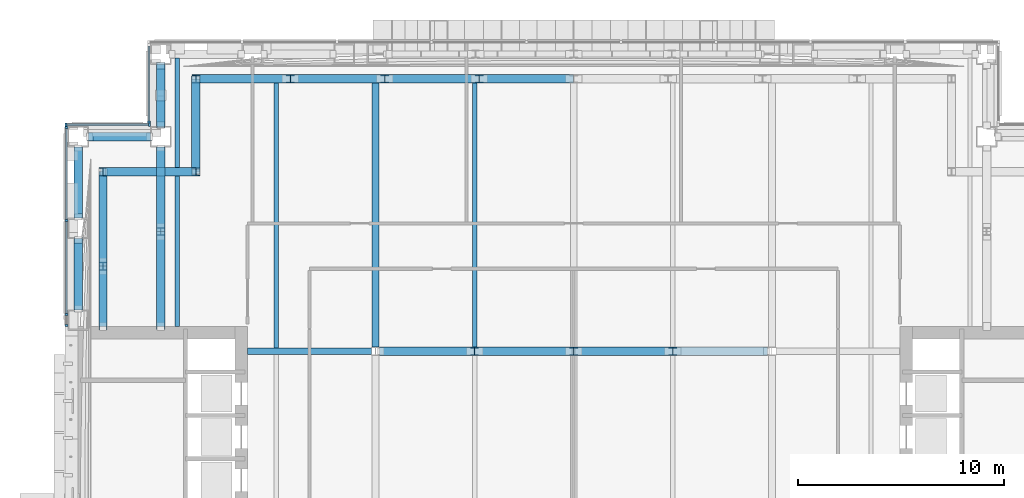
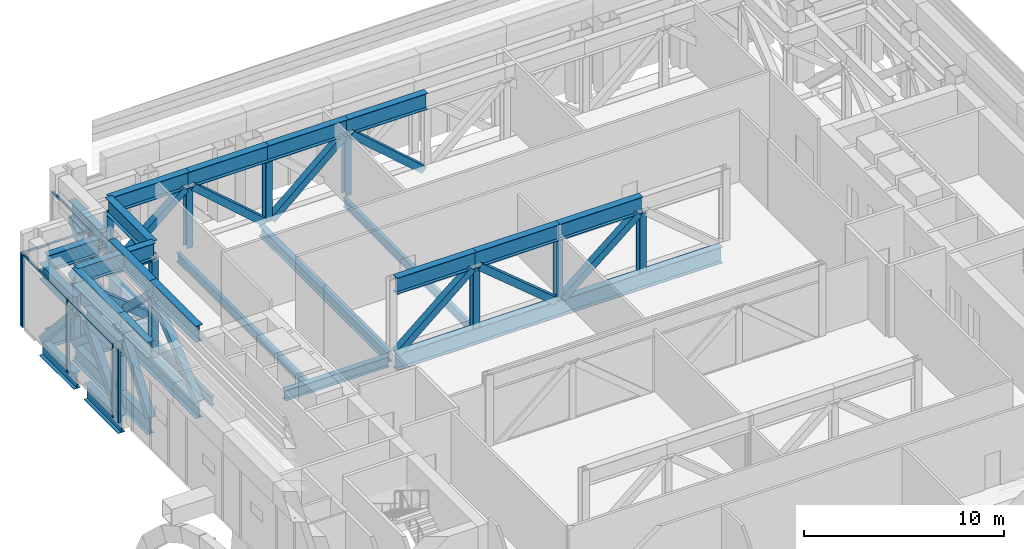
# One storey, part 7 of 39: 67 members, 6 beams, 3 elements without a shape of their own.
"""IFC4 building model written with IfcOpenShell, lengths in metres."""

from ifc_helpers import new_model, si_unit, direction, frame, origin, origin_2d, place, context, subcontext, project, spatial, rectangle, hollow_rectangle, i_section, extrude, material, material_profile, profile_set, type_object, element, aggregate, save


model = new_model("IFC4")

# Units and contexts
model_context = context("Model", 3, precision=1e-05, world=origin(), true_north=direction((0.0, 1.0)))
body_context = subcontext(model_context, "Body", "Model", "MODEL_VIEW")
ifc_project = project(units=[si_unit("LENGTHUNIT", "METRE"), si_unit("AREAUNIT", "SQUARE_METRE"), si_unit("VOLUMEUNIT", "CUBIC_METRE"), si_unit("PLANEANGLEUNIT", "RADIAN"), si_unit("MASSUNIT", "GRAM", prefix="KILO")], contexts=[model_context])

# Site, building, storey
site_placement = place(None, origin())
site = spatial("IfcSite", under=ifc_project, at=site_placement, CompositionType="ELEMENT")
building_placement = place(site_placement, origin())
building = spatial("IfcBuilding", under=site, at=building_placement, Name="Cobrizo Arcos Hotel Tower", CompositionType="ELEMENT")
storey_placement = place(building_placement, frame((0.0, 0.0, 84.5)))
storey = spatial("IfcBuildingStorey", under=building, at=storey_placement, Name="L20", CompositionType="ELEMENT", Elevation=84.5)

# Curtain wall, member
ifc_material_1 = material(Name="Aluminium 6063-T6 anodised bronze", Category="aluminium")
curtain_wall_type = type_object("IfcCurtainWallType", Name="CW-D plant louvre wall", PredefinedType="NOTDEFINED", material=ifc_material_1)
curtain_wall_1_placement = place(storey_placement, origin())
curtain_wall_1 = element("IfcCurtainWall", 1, at=curtain_wall_1_placement, inside=storey, type_object=curtain_wall_type, Name="CW-D L20 W face", PredefinedType="NOTDEFINED")
ifc_material_profile_1 = material_profile(ifc_material_1, rectangle(XDim=0.14990234375, YDim=0.10009765625, at=origin_2d()), Name="CW-D mullion 150x100")
ifc_profile_set_1 = profile_set([ifc_material_profile_1], Name="Aluminium 6063-T6 anodised bronze")
member_type_1 = type_object("IfcMemberType", Name="CW-D mullion 150x100", PredefinedType="MULLION", material=ifc_profile_set_1)
member_1_placement = place(storey_placement, frame((-20.574951171875, 20.699951171875, 0.0), z_axis=(0.0, 0.0, 1.0), x_axis=(-1.0, 0.0, 0.0)))
member_1 = element("IfcMember", 2, at=member_1_placement, type_object=member_type_1, Name="CW-D mullion 2", PredefinedType="MULLION", context=body_context, shape_type="SweptSolid", body=[
    extrude(rectangle(XDim=0.14990234375, YDim=0.10009765625, at=origin_2d()), origin(), (0.0, 0.0, 1.0), 4.5),
])

# Curtain wall, members
curtain_wall_2_placement = place(storey_placement, origin())
curtain_wall_2 = element("IfcCurtainWall", 3, at=curtain_wall_2_placement, inside=storey, type_object=curtain_wall_type, Name="CW-D L20 N face", PredefinedType="NOTDEFINED")
member_2_placement = place(storey_placement, frame((-20.550048828125, 20.574951171875, 0.0), z_axis=(0.0, 0.0, 1.0), x_axis=(0.0, 1.0, 0.0)))
member_2 = element("IfcMember", 4, at=member_2_placement, type_object=member_type_1, Name="CW-D mullion 1", PredefinedType="MULLION", context=body_context, shape_type="SweptSolid", body=[
    extrude(rectangle(XDim=0.14990234375, YDim=0.10009765625, at=origin_2d()), origin(), (0.0, 0.0, 1.0), 4.5),
])
member_3_placement = place(storey_placement, frame((-24.60009765625, 20.574951171875, 0.0), z_axis=(0.0, 0.0, 1.0), x_axis=(0.0, 1.0, 0.0)))
member_3 = element("IfcMember", 5, at=member_3_placement, type_object=member_type_1, Name="CW-D mullion 2", PredefinedType="MULLION", context=body_context, shape_type="SweptSolid", body=[
    extrude(rectangle(XDim=0.14990234375, YDim=0.10009765625, at=origin_2d()), origin(), (0.0, 0.0, 1.0), 4.5),
])

curtain_wall_3_placement = place(storey_placement, origin())
curtain_wall_3 = element("IfcCurtainWall", 6, at=curtain_wall_3_placement, inside=storey, type_object=curtain_wall_type, Name="CW-D L20 W face", PredefinedType="NOTDEFINED")
member_4_placement = place(storey_placement, frame((-24.574951171875, 20.449951171875, 0.0), z_axis=(0.0, 0.0, 1.0), x_axis=(-1.0, 0.0, 0.0)))
member_4 = element("IfcMember", 7, at=member_4_placement, type_object=member_type_1, Name="CW-D mullion 1", PredefinedType="MULLION", context=body_context, shape_type="SweptSolid", body=[
    extrude(rectangle(XDim=0.14990234375, YDim=0.10009765625, at=origin_2d()), origin(), (0.0, 0.0, 1.0), 4.5),
])
member_5_placement = place(storey_placement, frame((-24.574951171875, 15.9443359375, 0.0), z_axis=(0.0, 0.0, 1.0), x_axis=(-1.0, 0.0, 0.0)))
member_5 = element("IfcMember", 8, at=member_5_placement, type_object=member_type_1, Name="CW-D mullion 2", PredefinedType="MULLION", context=body_context, shape_type="SweptSolid", body=[
    extrude(rectangle(XDim=0.14990234375, YDim=0.10009765625, at=origin_2d()), origin(), (0.0, 0.0, 1.0), 4.5),
])
member_6_placement = place(storey_placement, frame((-24.574951171875, 11.388916015625, 0.0), z_axis=(0.0, 0.0, 1.0), x_axis=(-1.0, 0.0, 0.0)))
member_6 = element("IfcMember", 9, at=member_6_placement, type_object=member_type_1, Name="CW-D mullion 3", PredefinedType="MULLION", context=body_context, shape_type="SweptSolid", body=[
    extrude(rectangle(XDim=0.14990234375, YDim=0.10009765625, at=origin_2d()), origin(), (0.0, 0.0, 1.0), 4.5),
])
member_7_placement = place(storey_placement, frame((-24.574951171875, 10.85009765625, 0.0), z_axis=(0.0, 0.0, 1.0), x_axis=(-1.0, 0.0, 0.0)))
member_7 = element("IfcMember", 10, at=member_7_placement, type_object=member_type_1, Name="CW-D mullion 4", PredefinedType="MULLION", context=body_context, shape_type="SweptSolid", body=[
    extrude(rectangle(XDim=0.14990234375, YDim=0.10009765625, at=origin_2d()), origin(), (0.0, 0.0, 1.0), 4.5),
])

# Member
ifc_material_profile_2 = material_profile(ifc_material_1, rectangle(XDim=0.10009765625, YDim=0.10009765625, at=origin_2d()), Name="CW-D transom 100x100")
ifc_profile_set_2 = profile_set([ifc_material_profile_2], Name="Aluminium 6063-T6 anodised bronze")
member_type_2 = type_object("IfcMemberType", Name="CW-D transom 100x100", PredefinedType="USERDEFINED", material=ifc_profile_set_2)
member_8_placement = place(storey_placement, frame((-20.574951171875, 24.39990234375, 4.449951171875), z_axis=(0.0, -1.0, 0.0), x_axis=(1.0, 0.0, 0.0)))
member_8 = element("IfcMember", 11, at=member_8_placement, type_object=member_type_2, Name="CW-D transom 841", ObjectType="TRANSOM", PredefinedType="USERDEFINED", context=body_context, shape_type="SweptSolid", body=[
    extrude(rectangle(XDim=0.10009765625, YDim=0.10009765625, at=origin_2d()), origin(), (0.0, 0.0, 1.0), 3.64990234375),
])

aggregate(curtain_wall_1, [member_1, member_8])

member_9_placement = place(storey_placement, frame((-20.60009765625, 20.574951171875, 4.449951171875), z_axis=(-1.0, 0.0, 0.0), x_axis=(0.0, -1.0, 0.0)))
member_9 = element("IfcMember", 12, at=member_9_placement, type_object=member_type_2, Name="CW-D transom 842", ObjectType="TRANSOM", PredefinedType="USERDEFINED", context=body_context, shape_type="SweptSolid", body=[
    extrude(rectangle(XDim=0.10009765625, YDim=0.10009765625, at=origin_2d()), origin(), (0.0, 0.0, 1.0), 3.949951171875),
])

aggregate(curtain_wall_2, [member_2, member_3, member_9])

member_10_placement = place(storey_placement, frame((-24.574951171875, 20.39990234375, 4.449951171875), z_axis=(0.0, -1.0, 0.0), x_axis=(1.0, 0.0, 0.0)))
member_10 = element("IfcMember", 13, at=member_10_placement, type_object=member_type_2, Name="CW-D transom 843", ObjectType="TRANSOM", PredefinedType="USERDEFINED", context=body_context, shape_type="SweptSolid", body=[
    extrude(rectangle(XDim=0.10009765625, YDim=0.10009765625, at=origin_2d()), origin(), (0.0, 0.0, 1.0), 4.405517578125),
])

member_11_placement = place(storey_placement, frame((-24.574951171875, 15.89453125, 4.449951171875), z_axis=(0.0, -1.0, 0.0), x_axis=(1.0, 0.0, 0.0)))
member_11 = element("IfcMember", 14, at=member_11_placement, type_object=member_type_2, Name="CW-D transom 844", ObjectType="TRANSOM", PredefinedType="USERDEFINED", context=body_context, shape_type="SweptSolid", body=[
    extrude(rectangle(XDim=0.10009765625, YDim=0.10009765625, at=origin_2d()), origin(), (0.0, 0.0, 1.0), 4.45556640625),
])

aggregate(curtain_wall_3, [member_4, member_5, member_6, member_7, member_10, member_11])

# Members
ifc_material_2 = material(Name="Steel ASTM A500 Grade C", Category="steel")
ifc_material_profile_3 = material_profile(ifc_material_2, hollow_rectangle(XDim=0.406494140625, YDim=0.406494140625, WallThickness=0.014892578125, at=origin_2d()), Name="HSS16X16X5/8")
ifc_profile_set_3 = profile_set([ifc_material_profile_3], Name="Steel ASTM A500 Grade C")
member_type_3 = type_object("IfcMemberType", Name="HSS16X16X5/8 truss diagonal", PredefinedType="BRACE", material=ifc_profile_set_3)
for number, where, z_axis, x_axis, name in (
    (15, (-20.0, 23.419921875, -0.300048828125), (0.0, -0.613082755999, 0.790018692372), (1.0, 0.0, 0.0), "Belt truss diagonal TD1, L20, no. 025"),
    (16, (-20.580078125, 20.0, -0.300048828125), (-0.613082755999, 0.0, 0.790018692372), (0.0, -1.0, 0.0), "Belt truss diagonal TD1, L20, no. 026"),
):
    element("IfcMember", number, at=place(storey_placement, frame(where, z_axis=z_axis, x_axis=x_axis)), inside=storey, type_object=member_type_3, Name=name, PredefinedType="BRACE", context=body_context, shape_type="SweptSolid", body=[
        extrude(hollow_rectangle(XDim=0.406494140625, YDim=0.406494140625, WallThickness=0.014892578125, at=origin_2d()), origin(), (0.0, 0.0, 1.0), 4.632080078125),
    ])
member_12_placement = place(storey_placement, frame((-24.0, 19.419921875, -0.300048828125), z_axis=(0.0, -0.667891406246, 0.744258738251), x_axis=(1.0, 0.0, 0.0)))
element("IfcMember", 17, at=member_12_placement, inside=storey, type_object=member_type_3, Name="Belt truss diagonal TD1, L20, no. 027", PredefinedType="BRACE", context=body_context, shape_type="SweptSolid", body=[
    extrude(hollow_rectangle(XDim=0.406494140625, YDim=0.406494140625, WallThickness=0.014892578125, at=origin_2d()), origin(), (0.0, 0.0, 1.0), 4.9169921875),
])
member_13_placement = place(storey_placement, frame((-24.0, 14.97607421875, 3.359375), z_axis=(0.0, -0.668028893094, -0.744135335804), x_axis=(1.0, 0.0, 0.0)))
element("IfcMember", 18, at=member_13_placement, inside=storey, type_object=member_type_3, Name="Belt truss diagonal TD1, L20, no. 028", PredefinedType="BRACE", context=body_context, shape_type="SweptSolid", body=[
    extrude(hollow_rectangle(XDim=0.406494140625, YDim=0.406494140625, WallThickness=0.014892578125, at=origin_2d()), origin(), (0.0, 0.0, 1.0), 4.917724609375),
])
for number, where, z_axis, x_axis, name in (
    (19, (-0.199951171875, 22.800048828125, -0.300048828125), (-0.752017979383, 0.0, 0.65914259359), (0.0, -1.0, 0.0), "Belt truss diagonal TD1, L20, no. 053"),
    (20, (-4.77490234375, 22.800048828125, 3.359375), (-0.752017979383, 0.0, -0.65914259359), (0.0, -1.0, 0.0), "Belt truss diagonal TD1, L20, no. 054"),
):
    element("IfcMember", number, at=place(storey_placement, frame(where, z_axis=z_axis, x_axis=x_axis)), inside=storey, type_object=member_type_3, Name=name, PredefinedType="BRACE", context=body_context, shape_type="SweptSolid", body=[
        extrude(hollow_rectangle(XDim=0.406494140625, YDim=0.406494140625, WallThickness=0.014892578125, at=origin_2d()), origin(), (0.0, 0.0, 1.0), 5.5517578125),
    ])
member_14_placement = place(storey_placement, frame((-9.35009765625, 22.800048828125, -0.300048828125), z_axis=(-0.751998872625, 0.0, 0.659164391917), x_axis=(0.0, -1.0, 0.0)))
element("IfcMember", 21, at=member_14_placement, inside=storey, type_object=member_type_3, Name="Belt truss diagonal TD1, L20, no. 055", PredefinedType="BRACE", context=body_context, shape_type="SweptSolid", body=[
    extrude(hollow_rectangle(XDim=0.406494140625, YDim=0.406494140625, WallThickness=0.014892578125, at=origin_2d()), origin(), (0.0, 0.0, 1.0), 5.551513671875),
])
member_15_placement = place(storey_placement, frame((-13.925048828125, 22.800048828125, 3.359375), z_axis=(-0.767048144643, 0.0, -0.641589544646), x_axis=(0.0, -1.0, 0.0)))
element("IfcMember", 22, at=member_15_placement, inside=storey, type_object=member_type_3, Name="Belt truss diagonal TD1, L20, no. 056", PredefinedType="BRACE", context=body_context, shape_type="SweptSolid", body=[
    extrude(hollow_rectangle(XDim=0.406494140625, YDim=0.406494140625, WallThickness=0.014892578125, at=origin_2d()), origin(), (0.0, 0.0, 1.0), 5.70361328125),
])
for number, where, z_axis, x_axis, name in (
    (23, (-18.300048828125, 22.800048828125, -0.300048828125), (0.0, -0.775846123764, 0.630922176057), (1.0, 0.0, 0.0), "Belt truss diagonal TD1, L20, no. 057"),
    (24, (-18.300048828125, 18.300048828125, -0.300048828125), (-0.775846123764, 0.0, 0.630922176057), (0.0, -1.0, 0.0), "Belt truss diagonal TD1, L20, no. 058"),
):
    element("IfcMember", number, at=place(storey_placement, frame(where, z_axis=z_axis, x_axis=x_axis)), inside=storey, type_object=member_type_3, Name=name, PredefinedType="BRACE", context=body_context, shape_type="SweptSolid", body=[
        extrude(hollow_rectangle(XDim=0.406494140625, YDim=0.406494140625, WallThickness=0.014892578125, at=origin_2d()), origin(), (0.0, 0.0, 1.0), 5.800048828125),
    ])
member_16_placement = place(storey_placement, frame((-22.800048828125, 18.300048828125, -0.300048828125), z_axis=(0.0, -0.767048144643, 0.641589544646), x_axis=(1.0, 0.0, 0.0)))
element("IfcMember", 25, at=member_16_placement, inside=storey, type_object=member_type_3, Name="Belt truss diagonal TD1, L20, no. 059", PredefinedType="BRACE", context=body_context, shape_type="SweptSolid", body=[
    extrude(hollow_rectangle(XDim=0.406494140625, YDim=0.406494140625, WallThickness=0.014892578125, at=origin_2d()), origin(), (0.0, 0.0, 1.0), 5.70361328125),
])
member_17_placement = place(storey_placement, frame((-22.800048828125, 13.52490234375, 3.359375), z_axis=(0.0, -0.597093268224, -0.802171820149), x_axis=(1.0, 0.0, 0.0)))
element("IfcMember", 26, at=member_17_placement, inside=storey, type_object=member_type_3, Name="Belt truss diagonal TD1, L20, no. 060", PredefinedType="BRACE", context=body_context, shape_type="SweptSolid", body=[
    extrude(hollow_rectangle(XDim=0.406494140625, YDim=0.406494140625, WallThickness=0.014892578125, at=origin_2d()), origin(), (0.0, 0.0, 1.0), 4.56201171875),
])
member_18_placement = place(storey_placement, frame((-20.0, 10.800048828125, -0.300048828125), z_axis=(0.0, 0.768836361842, 0.639445579162), x_axis=(-1.0, 0.0, 0.0)))
element("IfcMember", 27, at=member_18_placement, inside=storey, type_object=member_type_3, Name="Outrigger diagonal TD1, L20, no. 010", PredefinedType="BRACE", context=body_context, shape_type="SweptSolid", body=[
    extrude(hollow_rectangle(XDim=0.406494140625, YDim=0.406494140625, WallThickness=0.014892578125, at=origin_2d()), origin(), (0.0, 0.0, 1.0), 5.722900390625),
])
member_19_placement = place(storey_placement, frame((-20.0, 15.60009765625, 3.359375), z_axis=(0.0, 0.722105393419, -0.691783059054), x_axis=(-1.0, 0.0, 0.0)))
element("IfcMember", 28, at=member_19_placement, inside=storey, type_object=member_type_3, Name="Outrigger diagonal TD1, L20, no. 011", PredefinedType="BRACE", context=body_context, shape_type="SweptSolid", body=[
    extrude(hollow_rectangle(XDim=0.406494140625, YDim=0.406494140625, WallThickness=0.014892578125, at=origin_2d()), origin(), (0.0, 0.0, 1.0), 5.289794921875),
])
member_20_placement = place(storey_placement, frame((-9.3154296875, 9.60009765625, -0.300048828125), z_axis=(0.762696810588, 0.0, 0.646756194496), x_axis=(0.0, 1.0, 0.0)))
element("IfcMember", 29, at=member_20_placement, inside=storey, type_object=member_type_3, Name="Outrigger diagonal TD1, L20, no. 021", PredefinedType="BRACE", context=body_context, shape_type="SweptSolid", body=[
    extrude(hollow_rectangle(XDim=0.406494140625, YDim=0.406494140625, WallThickness=0.014892578125, at=origin_2d()), origin(), (0.0, 0.0, 1.0), 5.658203125),
])
for number, where, z_axis, x_axis, name in (
    (30, (-4.60009765625, 9.60009765625, 3.359375), (0.768853804664, 0.0, -0.639424606231), (0.0, 1.0, 0.0), "Outrigger diagonal TD1, L20, no. 022"),
    (31, (0.199951171875, 9.60009765625, -0.300048828125), (0.768853804664, 0.0, 0.639424606231), (0.0, 1.0, 0.0), "Outrigger diagonal TD1, L20, no. 023"),
):
    element("IfcMember", number, at=place(storey_placement, frame(where, z_axis=z_axis, x_axis=x_axis)), inside=storey, type_object=member_type_3, Name=name, PredefinedType="BRACE", context=body_context, shape_type="SweptSolid", body=[
        extrude(hollow_rectangle(XDim=0.406494140625, YDim=0.406494140625, WallThickness=0.014892578125, at=origin_2d()), origin(), (0.0, 0.0, 1.0), 5.722900390625),
    ])
for number, where, z_axis, x_axis, name in (
    (32, (-20.0, 20.580078125, -0.300048828125), (0.0, 0.613101642082, 0.790004035734), (-1.0, 0.0, 0.0), "Outrigger diagonal TD1, L20, no. 012"),
    (33, (-20.0, 22.110107421875, 1.671630859375), (0.0, 0.613101642082, 0.790004035734), (-1.0, 0.0, 0.0), "Outrigger diagonal TD1, L20, no. 012b"),
):
    element("IfcMember", number, at=place(storey_placement, frame(where, z_axis=z_axis, x_axis=x_axis)), inside=storey, type_object=member_type_3, Name=name, PredefinedType="BRACE", context=body_context, shape_type="SweptSolid", body=[
        extrude(hollow_rectangle(XDim=0.406494140625, YDim=0.406494140625, WallThickness=0.014892578125, at=origin_2d()), origin(), (0.0, 0.0, 1.0), 2.136474609375),
    ])
ifc_material_3 = material(Name="Steel ASTM A992 Grade 50", Category="steel")
ifc_material_profile_4 = material_profile(ifc_material_3, i_section(OverallWidth=0.373291015625, OverallDepth=0.373291015625, WebThickness=0.016357421875, FlangeThickness=0.026123046875, at=origin_2d()), Name="W14X132")
ifc_profile_set_4 = profile_set([ifc_material_profile_4], Name="Steel ASTM A992 Grade 50")
member_type_4 = type_object("IfcMemberType", Name="W14X132 truss post", PredefinedType="POST", material=ifc_profile_set_4)
for number, where, z_axis, x_axis, name in (
    (34, (-4.574951171875, 22.800048828125, -0.300048828125), (0.0, 0.0, 1.0), (1.0, 0.0, 0.0), "Truss post TP1, L20, no. 027"),
    (35, (-9.14990234375, 22.800048828125, -0.300048828125), (0.0, 0.0, 1.0), (1.0, 0.0, 0.0), "Truss post TP1, L20, no. 028"),
    (36, (-13.72509765625, 22.800048828125, -0.300048828125), (0.0, 0.0, 1.0), (1.0, 0.0, 0.0), "Truss post TP1, L20, no. 029"),
    (37, (-18.300048828125, 22.800048828125, -0.300048828125), (0.0, 0.0, 1.0), (1.0, 0.0, 0.0), "Truss post TP1, L20, no. 030"),
    (38, (-18.300048828125, 18.300048828125, -0.300048828125), (0.0, 0.0, 1.0), (1.0, 0.0, 0.0), "Truss post TP1, L20, no. 031"),
    (39, (-22.800048828125, 18.300048828125, -0.300048828125), (0.0, 0.0, 1.0), (1.0, 0.0, 0.0), "Truss post TP1, L20, no. 032"),
    (40, (-22.800048828125, 13.72509765625, -0.300048828125), (0.0, 0.0, 1.0), (1.0, 0.0, 0.0), "Truss post TP1, L20, no. 033"),
    (41, (-20.0, 15.39990234375, -0.300048828125), (0.0, 0.0, 1.0), (1.0, 0.0, 0.0), "Truss post TP1, L20, no. 040"),
    (42, (-4.800048828125, 9.60009765625, -0.300048828125), (0.0, 0.0, 1.0), (1.0, 0.0, 0.0), "Truss post TP1, L20, no. 047"),
    (43, (0.0, 9.60009765625, -0.300048828125), (0.0, 0.0, 1.0), (1.0, 0.0, 0.0), "Truss post TP1, L20, no. 048"),
    (44, (4.800048828125, 9.60009765625, -0.300048828125), (0.0, 0.0, 1.0), (1.0, 0.0, 0.0), "Truss post TP1, L20, no. 049"),
):
    element("IfcMember", number, at=place(storey_placement, frame(where, z_axis=z_axis, x_axis=x_axis)), inside=storey, type_object=member_type_4, Name=name, PredefinedType="POST", context=body_context, shape_type="SweptSolid", body=[
        extrude(i_section(OverallWidth=0.373291015625, OverallDepth=0.373291015625, WebThickness=0.016357421875, FlangeThickness=0.026123046875, at=origin_2d()), origin(), (0.0, 0.0, 1.0), 3.659423828125),
    ])

# Beams
ifc_material_profile_5 = material_profile(ifc_material_3, i_section(OverallWidth=0.209228515625, OverallDepth=0.533447265625, WebThickness=0.01025390625, FlangeThickness=0.015625, at=origin_2d()), Name="W21X62")
ifc_profile_set_5 = profile_set([ifc_material_profile_5], Name="Steel ASTM A992 Grade 50")
beam_type_1 = type_object("IfcBeamType", Name="W21X62 joist", PredefinedType="JOIST", material=ifc_profile_set_5)
beam_1_placement = place(storey_placement, frame((-19.199951171875, 10.81005859375, -0.566650390625), z_axis=(0.0, 1.0, 0.0), x_axis=(-1.0, 0.0, 0.0)))
element("IfcBeam", 45, at=beam_1_placement, inside=storey, type_object=beam_type_1, Name="Floor joist J1, L20, no. 003", PredefinedType="JOIST", context=body_context, shape_type="SweptSolid", body=[
    extrude(i_section(OverallWidth=0.209228515625, OverallDepth=0.533447265625, WebThickness=0.01025390625, FlangeThickness=0.015625, at=origin_2d()), origin(), (0.0, 0.0, 1.0), 7.28955078125),
])
beam_2_placement = place(storey_placement, frame((-19.199951171875, 18.50048828125, -0.566650390625), z_axis=(0.0, 1.0, 0.0), x_axis=(-1.0, 0.0, 0.0)))
element("IfcBeam", 46, at=beam_2_placement, inside=storey, type_object=beam_type_1, Name="Floor joist J1, L20, no. 004", PredefinedType="JOIST", context=body_context, shape_type="SweptSolid", body=[
    extrude(i_section(OverallWidth=0.209228515625, OverallDepth=0.533447265625, WebThickness=0.01025390625, FlangeThickness=0.015625, at=origin_2d()), origin(), (0.0, 0.0, 1.0), 5.299072265625),
])
beam_3_placement = place(storey_placement, frame((-14.39990234375, 9.763916015625, -0.566650390625), z_axis=(0.0, 1.0, 0.0), x_axis=(-1.0, 0.0, 0.0)))
element("IfcBeam", 47, at=beam_3_placement, inside=storey, type_object=beam_type_1, Name="Floor joist J1, L20, no. 008", PredefinedType="JOIST", context=body_context, shape_type="SweptSolid", body=[
    extrude(i_section(OverallWidth=0.209228515625, OverallDepth=0.533447265625, WebThickness=0.01025390625, FlangeThickness=0.015625, at=origin_2d()), origin(), (0.0, 0.0, 1.0), 12.835693359375),
])
beam_4_placement = place(storey_placement, frame((-4.800048828125, 9.800537109375, -0.566650390625), z_axis=(0.0, 1.0, 0.0), x_axis=(-1.0, 0.0, 0.0)))
element("IfcBeam", 48, at=beam_4_placement, inside=storey, type_object=beam_type_1, Name="Floor joist J1, L20, no. 012", PredefinedType="JOIST", context=body_context, shape_type="SweptSolid", body=[
    extrude(i_section(OverallWidth=0.209228515625, OverallDepth=0.533447265625, WebThickness=0.01025390625, FlangeThickness=0.015625, at=origin_2d()), origin(), (0.0, 0.0, 1.0), 12.799072265625),
])
ifc_material_profile_6 = material_profile(ifc_material_3, i_section(OverallWidth=0.32763671875, OverallDepth=0.622314453125, WebThickness=0.015380859375, FlangeThickness=0.0244140625, at=origin_2d()), Name="W24X131")
ifc_profile_set_6 = profile_set([ifc_material_profile_6], Name="Steel ASTM A992 Grade 50")
beam_type_2 = type_object("IfcBeamType", Name="W24X131 girder", PredefinedType="BEAM", material=ifc_profile_set_6)
beam_5_placement = place(storey_placement, frame((-15.7900390625, 9.60009765625, -0.611083984375), z_axis=(1.0, 0.0, 0.0), x_axis=(0.0, 1.0, 0.0)))
element("IfcBeam", 49, at=beam_5_placement, inside=storey, type_object=beam_type_2, Name="Floor girder G1, L20, no. 005", PredefinedType="BEAM", context=body_context, shape_type="SweptSolid", body=[
    extrude(i_section(OverallWidth=0.32763671875, OverallDepth=0.622314453125, WebThickness=0.015380859375, FlangeThickness=0.0244140625, at=origin_2d()), origin(), (0.0, 0.0, 1.0), 5.985595703125),
])
beam_6_placement = place(storey_placement, frame((-9.60009765625, 9.804443359375, -0.611083984375), z_axis=(0.0, 1.0, 0.0), x_axis=(-1.0, 0.0, 0.0)))
element("IfcBeam", 50, at=beam_6_placement, inside=storey, type_object=beam_type_2, Name="Floor girder G1, L20, no. 010", PredefinedType="BEAM", context=body_context, shape_type="SweptSolid", body=[
    extrude(i_section(OverallWidth=0.32763671875, OverallDepth=0.622314453125, WebThickness=0.015380859375, FlangeThickness=0.0244140625, at=origin_2d()), origin(), (0.0, 0.0, 1.0), 12.795166015625),
])

# Members
ifc_material_profile_7 = material_profile(ifc_material_3, i_section(OverallWidth=0.4013671875, OverallDepth=0.990478515625, WebThickness=0.0166015625, FlangeThickness=0.025390625, at=origin_2d()), Name="W40X215")
ifc_profile_set_7 = profile_set([ifc_material_profile_7], Name="Steel ASTM A992 Grade 50")
member_type_5 = type_object("IfcMemberType", Name="W40X215 belt truss chord", PredefinedType="CHORD", material=ifc_profile_set_7)
for number, where, z_axis, x_axis, name in (
    (51, (-20.0, 23.5, -0.79541015625), (0.0, -1.0, 0.0), (1.0, 0.0, 0.0), "Belt truss bottom chord TC1, L20, no. 019"),
    (52, (-20.0, 23.5, 3.854736328125), (0.0, -1.0, 0.0), (1.0, 0.0, 0.0), "Belt truss top chord TC1, L20, no. 025"),
    (53, (-20.5, 20.0, -0.79541015625), (-1.0, 0.0, 0.0), (0.0, -1.0, 0.0), "Belt truss bottom chord TC1, L20, no. 020"),
    (54, (-20.5, 20.0, 3.854736328125), (-1.0, 0.0, 0.0), (0.0, -1.0, 0.0), "Belt truss top chord TC1, L20, no. 026"),
):
    element("IfcMember", number, at=place(storey_placement, frame(where, z_axis=z_axis, x_axis=x_axis)), inside=storey, type_object=member_type_5, Name=name, PredefinedType="CHORD", context=body_context, shape_type="SweptSolid", body=[
        extrude(i_section(OverallWidth=0.4013671875, OverallDepth=0.990478515625, WebThickness=0.0166015625, FlangeThickness=0.025390625, at=origin_2d()), origin(), (0.0, 0.0, 1.0), 3.0),
    ])
member_21_placement = place(storey_placement, frame((-24.0, 19.5, -0.79541015625), z_axis=(0.0, -1.0, 0.0), x_axis=(1.0, 0.0, 0.0)))
element("IfcMember", 55, at=member_21_placement, inside=storey, type_object=member_type_5, Name="Belt truss bottom chord TC1, L20, no. 021", PredefinedType="CHORD", context=body_context, shape_type="SweptSolid", body=[
    extrude(i_section(OverallWidth=0.4013671875, OverallDepth=0.990478515625, WebThickness=0.0166015625, FlangeThickness=0.025390625, at=origin_2d()), origin(), (0.0, 0.0, 1.0), 3.444091796875),
])
member_22_placement = place(storey_placement, frame((-24.0, 15.055908203125, -0.79541015625), z_axis=(0.0, -1.0, 0.0), x_axis=(1.0, 0.0, 0.0)))
element("IfcMember", 56, at=member_22_placement, inside=storey, type_object=member_type_5, Name="Belt truss bottom chord TC1, L20, no. 022", PredefinedType="CHORD", context=body_context, shape_type="SweptSolid", body=[
    extrude(i_section(OverallWidth=0.4013671875, OverallDepth=0.990478515625, WebThickness=0.0166015625, FlangeThickness=0.025390625, at=origin_2d()), origin(), (0.0, 0.0, 1.0), 3.44482421875),
])
member_23_placement = place(storey_placement, frame((-24.0, 19.5, 3.854736328125), z_axis=(0.0, -1.0, 0.0), x_axis=(1.0, 0.0, 0.0)))
element("IfcMember", 57, at=member_23_placement, inside=storey, type_object=member_type_5, Name="Belt truss top chord TC1, L20, no. 027", PredefinedType="CHORD", context=body_context, shape_type="SweptSolid", body=[
    extrude(i_section(OverallWidth=0.4013671875, OverallDepth=0.990478515625, WebThickness=0.0166015625, FlangeThickness=0.025390625, at=origin_2d()), origin(), (0.0, 0.0, 1.0), 3.444091796875),
])
member_24_placement = place(storey_placement, frame((-24.0, 15.055908203125, 3.854736328125), z_axis=(0.0, -1.0, 0.0), x_axis=(1.0, 0.0, 0.0)))
element("IfcMember", 58, at=member_24_placement, inside=storey, type_object=member_type_5, Name="Belt truss top chord TC1, L20, no. 028", PredefinedType="CHORD", context=body_context, shape_type="SweptSolid", body=[
    extrude(i_section(OverallWidth=0.4013671875, OverallDepth=0.990478515625, WebThickness=0.0166015625, FlangeThickness=0.025390625, at=origin_2d()), origin(), (0.0, 0.0, 1.0), 3.44482421875),
])
for number, where, z_axis, x_axis, name in (
    (59, (0.0, 22.800048828125, 3.854736328125), (-1.0, 0.0, 0.0), (0.0, -1.0, 0.0), "Belt truss top chord TC1, L20, no. 053"),
    (60, (-4.574951171875, 22.800048828125, 3.854736328125), (-1.0, 0.0, 0.0), (0.0, -1.0, 0.0), "Belt truss top chord TC1, L20, no. 054"),
):
    element("IfcMember", number, at=place(storey_placement, frame(where, z_axis=z_axis, x_axis=x_axis)), inside=storey, type_object=member_type_5, Name=name, PredefinedType="CHORD", context=body_context, shape_type="SweptSolid", body=[
        extrude(i_section(OverallWidth=0.4013671875, OverallDepth=0.990478515625, WebThickness=0.0166015625, FlangeThickness=0.025390625, at=origin_2d()), origin(), (0.0, 0.0, 1.0), 4.574951171875),
    ])
member_25_placement = place(storey_placement, frame((-9.14990234375, 22.800048828125, 3.854736328125), z_axis=(-1.0, 0.0, 0.0), x_axis=(0.0, -1.0, 0.0)))
element("IfcMember", 61, at=member_25_placement, inside=storey, type_object=member_type_5, Name="Belt truss top chord TC1, L20, no. 055", PredefinedType="CHORD", context=body_context, shape_type="SweptSolid", body=[
    extrude(i_section(OverallWidth=0.4013671875, OverallDepth=0.990478515625, WebThickness=0.0166015625, FlangeThickness=0.025390625, at=origin_2d()), origin(), (0.0, 0.0, 1.0), 4.5751953125),
])
member_26_placement = place(storey_placement, frame((-13.72509765625, 22.800048828125, 3.854736328125), z_axis=(-1.0, 0.0, 0.0), x_axis=(0.0, -1.0, 0.0)))
element("IfcMember", 62, at=member_26_placement, inside=storey, type_object=member_type_5, Name="Belt truss top chord TC1, L20, no. 056", PredefinedType="CHORD", context=body_context, shape_type="SweptSolid", body=[
    extrude(i_section(OverallWidth=0.4013671875, OverallDepth=0.990478515625, WebThickness=0.0166015625, FlangeThickness=0.025390625, at=origin_2d()), origin(), (0.0, 0.0, 1.0), 4.574951171875),
])
for number, where, z_axis, x_axis, name in (
    (63, (-18.300048828125, 22.800048828125, -0.79541015625), (0.0, -1.0, 0.0), (1.0, 0.0, 0.0), "Belt truss bottom chord TC1, L20, no. 035"),
    (64, (-18.300048828125, 22.800048828125, 3.854736328125), (0.0, -1.0, 0.0), (1.0, 0.0, 0.0), "Belt truss top chord TC1, L20, no. 057"),
    (65, (-18.300048828125, 18.300048828125, -0.79541015625), (-1.0, 0.0, 0.0), (0.0, -1.0, 0.0), "Belt truss bottom chord TC1, L20, no. 036"),
    (66, (-18.300048828125, 18.300048828125, 3.854736328125), (-1.0, 0.0, 0.0), (0.0, -1.0, 0.0), "Belt truss top chord TC1, L20, no. 058"),
):
    element("IfcMember", number, at=place(storey_placement, frame(where, z_axis=z_axis, x_axis=x_axis)), inside=storey, type_object=member_type_5, Name=name, PredefinedType="CHORD", context=body_context, shape_type="SweptSolid", body=[
        extrude(i_section(OverallWidth=0.4013671875, OverallDepth=0.990478515625, WebThickness=0.0166015625, FlangeThickness=0.025390625, at=origin_2d()), origin(), (0.0, 0.0, 1.0), 4.5),
    ])
member_27_placement = place(storey_placement, frame((-22.800048828125, 18.300048828125, -0.79541015625), z_axis=(0.0, -1.0, 0.0), x_axis=(1.0, 0.0, 0.0)))
element("IfcMember", 67, at=member_27_placement, inside=storey, type_object=member_type_5, Name="Belt truss bottom chord TC1, L20, no. 037", PredefinedType="CHORD", context=body_context, shape_type="SweptSolid", body=[
    extrude(i_section(OverallWidth=0.4013671875, OverallDepth=0.990478515625, WebThickness=0.0166015625, FlangeThickness=0.025390625, at=origin_2d()), origin(), (0.0, 0.0, 1.0), 7.4990234375),
])
member_28_placement = place(storey_placement, frame((-22.800048828125, 18.300048828125, 3.854736328125), z_axis=(0.0, -1.0, 0.0), x_axis=(1.0, 0.0, 0.0)))
element("IfcMember", 68, at=member_28_placement, inside=storey, type_object=member_type_5, Name="Belt truss top chord TC1, L20, no. 059", PredefinedType="CHORD", context=body_context, shape_type="SweptSolid", body=[
    extrude(i_section(OverallWidth=0.4013671875, OverallDepth=0.990478515625, WebThickness=0.0166015625, FlangeThickness=0.025390625, at=origin_2d()), origin(), (0.0, 0.0, 1.0), 4.574951171875),
])
member_29_placement = place(storey_placement, frame((-22.800048828125, 13.72509765625, 3.854736328125), z_axis=(0.0, -1.0, 0.0), x_axis=(1.0, 0.0, 0.0)))
element("IfcMember", 69, at=member_29_placement, inside=storey, type_object=member_type_5, Name="Belt truss top chord TC1, L20, no. 060", PredefinedType="CHORD", context=body_context, shape_type="SweptSolid", body=[
    extrude(i_section(OverallWidth=0.4013671875, OverallDepth=0.990478515625, WebThickness=0.0166015625, FlangeThickness=0.025390625, at=origin_2d()), origin(), (0.0, 0.0, 1.0), 2.924072265625),
])
member_30_placement = place(storey_placement, frame((-20.0, 10.800048828125, -0.79541015625), z_axis=(0.0, 1.0, 0.0), x_axis=(-1.0, 0.0, 0.0)))
element("IfcMember", 70, at=member_30_placement, inside=storey, type_object=member_type_5, Name="Outrigger bottom chord TC1, L20, no. 007", PredefinedType="CHORD", context=body_context, shape_type="SweptSolid", body=[
    extrude(i_section(OverallWidth=0.4013671875, OverallDepth=0.990478515625, WebThickness=0.0166015625, FlangeThickness=0.025390625, at=origin_2d()), origin(), (0.0, 0.0, 1.0), 8.699951171875),
])
member_31_placement = place(storey_placement, frame((-20.0, 10.800048828125, 3.854736328125), z_axis=(0.0, 1.0, 0.0), x_axis=(-1.0, 0.0, 0.0)))
element("IfcMember", 71, at=member_31_placement, inside=storey, type_object=member_type_5, Name="Outrigger top chord TC1, L20, no. 010", PredefinedType="CHORD", context=body_context, shape_type="SweptSolid", body=[
    extrude(i_section(OverallWidth=0.4013671875, OverallDepth=0.990478515625, WebThickness=0.0166015625, FlangeThickness=0.025390625, at=origin_2d()), origin(), (0.0, 0.0, 1.0), 4.599853515625),
])
member_32_placement = place(storey_placement, frame((-20.0, 15.39990234375, 3.854736328125), z_axis=(0.0, 1.0, 0.0), x_axis=(-1.0, 0.0, 0.0)))
element("IfcMember", 72, at=member_32_placement, inside=storey, type_object=member_type_5, Name="Outrigger top chord TC1, L20, no. 011", PredefinedType="CHORD", context=body_context, shape_type="SweptSolid", body=[
    extrude(i_section(OverallWidth=0.4013671875, OverallDepth=0.990478515625, WebThickness=0.0166015625, FlangeThickness=0.025390625, at=origin_2d()), origin(), (0.0, 0.0, 1.0), 4.10009765625),
])
member_33_placement = place(storey_placement, frame((-9.3955078125, 9.60009765625, -0.79541015625), z_axis=(1.0, 0.0, 0.0), x_axis=(0.0, 1.0, 0.0)))
element("IfcMember", 73, at=member_33_placement, inside=storey, type_object=member_type_5, Name="Outrigger bottom chord TC1, L20, no. 011", PredefinedType="CHORD", context=body_context, shape_type="SweptSolid", body=[
    extrude(i_section(OverallWidth=0.4013671875, OverallDepth=0.990478515625, WebThickness=0.0166015625, FlangeThickness=0.025390625, at=origin_2d()), origin(), (0.0, 0.0, 1.0), 18.791015625),
])
member_34_placement = place(storey_placement, frame((-9.3955078125, 9.60009765625, 3.854736328125), z_axis=(1.0, 0.0, 0.0), x_axis=(0.0, 1.0, 0.0)))
element("IfcMember", 74, at=member_34_placement, inside=storey, type_object=member_type_5, Name="Outrigger top chord TC1, L20, no. 021", PredefinedType="CHORD", context=body_context, shape_type="SweptSolid", body=[
    extrude(i_section(OverallWidth=0.4013671875, OverallDepth=0.990478515625, WebThickness=0.0166015625, FlangeThickness=0.025390625, at=origin_2d()), origin(), (0.0, 0.0, 1.0), 4.595458984375),
])
for number, where, z_axis, x_axis, name in (
    (75, (-4.800048828125, 9.60009765625, 3.854736328125), (1.0, 0.0, 0.0), (0.0, 1.0, 0.0), "Outrigger top chord TC1, L20, no. 022"),
    (76, (0.0, 9.60009765625, 3.854736328125), (1.0, 0.0, 0.0), (0.0, 1.0, 0.0), "Outrigger top chord TC1, L20, no. 023"),
):
    element("IfcMember", number, at=place(storey_placement, frame(where, z_axis=z_axis, x_axis=x_axis)), inside=storey, type_object=member_type_5, Name=name, PredefinedType="CHORD", context=body_context, shape_type="SweptSolid", body=[
        extrude(i_section(OverallWidth=0.4013671875, OverallDepth=0.990478515625, WebThickness=0.0166015625, FlangeThickness=0.025390625, at=origin_2d()), origin(), (0.0, 0.0, 1.0), 4.800048828125),
    ])

save(model, "model.ifc")
